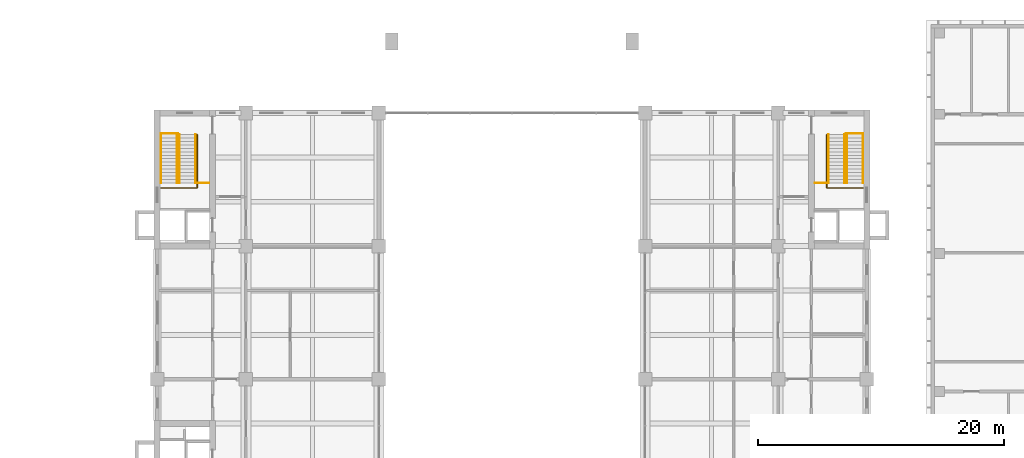
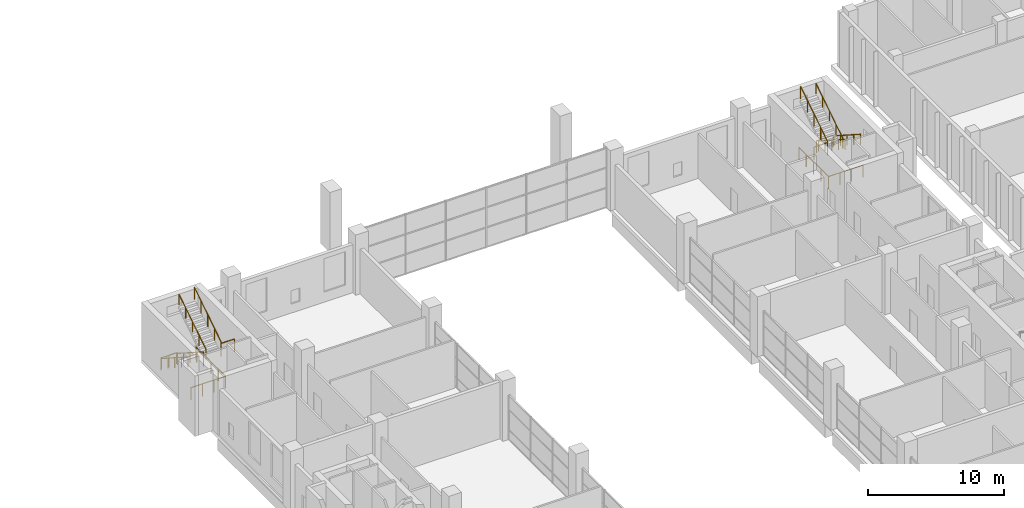
# One storey, part 31 of 32: 14 railings.
"""IFC4 building model written with IfcOpenShell, lengths in metres."""

from ifc_helpers import new_model, si_unit, direction, frame, origin, origin_2d, place, context, subcontext, project, spatial, circle, extrude, material, type_object, element, save


model = new_model("IFC4")

# Units and contexts
model_context = context("Model", 3, precision=1e-05, world=origin(), true_north=direction((0.0, 1.0)))
body_context = subcontext(model_context, "Body", "Model", "MODEL_VIEW")
ifc_project = project(units=[si_unit("LENGTHUNIT", "METRE"), si_unit("AREAUNIT", "SQUARE_METRE"), si_unit("VOLUMEUNIT", "CUBIC_METRE"), si_unit("PLANEANGLEUNIT", "RADIAN"), si_unit("MASSUNIT", "GRAM", prefix="KILO")], contexts=[model_context])

# Site, building, storey
site_placement = place(None, origin())
site = spatial("IfcSite", under=ifc_project, at=site_placement, CompositionType="ELEMENT")
building_placement = place(site_placement, origin())
building = spatial("IfcBuilding", under=site, at=building_placement, Name="Basin Gate Institute", CompositionType="ELEMENT")
storey_placement = place(building_placement, frame((0.0, 0.0, 11.39990234375)))
storey = spatial("IfcBuildingStorey", under=building, at=storey_placement, Name="L02", CompositionType="ELEMENT", Elevation=11.39990234375)

# Railings
ifc_material_1 = material(Name="Stainless steel", Category="steel")
railing_type_1 = type_object("IfcRailingType", Name="Stair guard GR1", PredefinedType="GUARDRAIL", material=ifc_material_1)
railing_1_placement = place(storey_placement, frame((64.449951171875, 98.14990234375, 0.0)))
element("IfcRailing", 1, at=railing_1_placement, inside=storey, type_object=railing_type_1, material=ifc_material_1, Name="Stair guard GR1 WN GD3-L01", PredefinedType="GUARDRAIL", context=body_context, shape_type="SweptSolid", body=[
    extrude(circle(Radius=0.02392578125, at=origin_2d()), frame((0.0, 0.0, 1.076171875), z_axis=(0.0, -1.0, 0.0), x_axis=(1.0, 0.0, 0.0)), (0.0, 0.0, 1.0), 4.31982421875),
    extrude(circle(Radius=0.02392578125, at=origin_2d()), frame((0.0, -4.31982421875, 1.076171875), z_axis=(-1.0, 0.0, 0.0), x_axis=(0.0, -1.0, 0.0)), (0.0, 0.0, 1.0), 2.949951171875),
    extrude(circle(Radius=0.02099609375, at=origin_2d()), origin(), (0.0, 0.0, 1.0), 1.052001953125),
    extrude(circle(Radius=0.02099609375, at=origin_2d()), frame((0.0, -1.080078125, 0.0)), (0.0, 0.0, 1.0), 1.052001953125),
    extrude(circle(Radius=0.02099609375, at=origin_2d()), frame((0.0, -2.159912109375, 0.0)), (0.0, 0.0, 1.0), 1.052001953125),
    extrude(circle(Radius=0.02099609375, at=origin_2d()), frame((0.0, -3.23974609375, 0.0)), (0.0, 0.0, 1.0), 1.052001953125),
    extrude(circle(Radius=0.02099609375, at=origin_2d()), frame((0.0, -4.31982421875, 0.0)), (0.0, 0.0, 1.0), 1.052001953125),
    extrude(circle(Radius=0.02099609375, at=origin_2d()), frame((-0.9833984375, -4.31982421875, 0.0)), (0.0, 0.0, 1.0), 1.052001953125),
    extrude(circle(Radius=0.02099609375, at=origin_2d()), frame((-1.966552734375, -4.31982421875, 0.0)), (0.0, 0.0, 1.0), 1.052001953125),
    extrude(circle(Radius=0.02099609375, at=origin_2d()), frame((-2.949951171875, -4.31982421875, 0.0)), (0.0, 0.0, 1.0), 1.052001953125),
])
railing_2_placement = place(storey_placement, frame((61.5, 98.22998046875, 0.0)))
element("IfcRailing", 2, at=railing_2_placement, inside=storey, type_object=railing_type_1, material=ifc_material_1, Name="Stair guard GR1 WN GD4-L01", PredefinedType="GUARDRAIL", context=body_context, shape_type="SweptSolid", body=[
    extrude(circle(Radius=0.02392578125, at=origin_2d()), frame((0.0, 0.0, 1.076171875), z_axis=(1.0, 0.0, 0.0), x_axis=(0.0, 1.0, 0.0)), (0.0, 0.0, 1.0), 1.39990234375),
    extrude(circle(Radius=0.02099609375, at=origin_2d()), origin(), (0.0, 0.0, 1.0), 1.052001953125),
    extrude(circle(Radius=0.02099609375, at=origin_2d()), frame((0.699951171875, 0.0, 0.0)), (0.0, 0.0, 1.0), 1.052001953125),
    extrude(circle(Radius=0.02099609375, at=origin_2d()), frame((1.39990234375, 0.0, 0.0)), (0.0, 0.0, 1.0), 1.052001953125),
])
railing_3_placement = place(storey_placement, frame((115.550048828125, 98.14990234375, 0.0)))
element("IfcRailing", 3, at=railing_3_placement, inside=storey, type_object=railing_type_1, material=ifc_material_1, Name="Stair guard GR1 EN GD3-L01", PredefinedType="GUARDRAIL", context=body_context, shape_type="SweptSolid", body=[
    extrude(circle(Radius=0.02392578125, at=origin_2d()), frame((0.0, 0.0, 1.076171875), z_axis=(0.0, -1.0, 0.0), x_axis=(1.0, 0.0, 0.0)), (0.0, 0.0, 1.0), 4.31982421875),
    extrude(circle(Radius=0.02392578125, at=origin_2d()), frame((0.0, -4.31982421875, 1.076171875), z_axis=(1.0, 0.0, 0.0), x_axis=(0.0, 1.0, 0.0)), (0.0, 0.0, 1.0), 2.949951171875),
    extrude(circle(Radius=0.02099609375, at=origin_2d()), origin(), (0.0, 0.0, 1.0), 1.052001953125),
    extrude(circle(Radius=0.02099609375, at=origin_2d()), frame((0.0, -1.080078125, 0.0)), (0.0, 0.0, 1.0), 1.052001953125),
    extrude(circle(Radius=0.02099609375, at=origin_2d()), frame((0.0, -2.159912109375, 0.0)), (0.0, 0.0, 1.0), 1.052001953125),
    extrude(circle(Radius=0.02099609375, at=origin_2d()), frame((0.0, -3.23974609375, 0.0)), (0.0, 0.0, 1.0), 1.052001953125),
    extrude(circle(Radius=0.02099609375, at=origin_2d()), frame((0.0, -4.31982421875, 0.0)), (0.0, 0.0, 1.0), 1.052001953125),
    extrude(circle(Radius=0.02099609375, at=origin_2d()), frame((0.9833984375, -4.31982421875, 0.0)), (0.0, 0.0, 1.0), 1.052001953125),
    extrude(circle(Radius=0.02099609375, at=origin_2d()), frame((1.966552734375, -4.31982421875, 0.0)), (0.0, 0.0, 1.0), 1.052001953125),
    extrude(circle(Radius=0.02099609375, at=origin_2d()), frame((2.949951171875, -4.31982421875, 0.0)), (0.0, 0.0, 1.0), 1.052001953125),
])
railing_4_placement = place(storey_placement, frame((118.5, 98.22998046875, 0.0)))
element("IfcRailing", 4, at=railing_4_placement, inside=storey, type_object=railing_type_1, material=ifc_material_1, Name="Stair guard GR1 EN GD4-L01", PredefinedType="GUARDRAIL", context=body_context, shape_type="SweptSolid", body=[
    extrude(circle(Radius=0.02392578125, at=origin_2d()), frame((0.0, 0.0, 1.076171875), z_axis=(-1.0, 0.0, 0.0), x_axis=(0.0, -1.0, 0.0)), (0.0, 0.0, 1.0), 1.39990234375),
    extrude(circle(Radius=0.02099609375, at=origin_2d()), origin(), (0.0, 0.0, 1.0), 1.052001953125),
    extrude(circle(Radius=0.02099609375, at=origin_2d()), frame((-0.699951171875, 0.0, 0.0)), (0.0, 0.0, 1.0), 1.052001953125),
    extrude(circle(Radius=0.02099609375, at=origin_2d()), frame((-1.39990234375, 0.0, 0.0)), (0.0, 0.0, 1.0), 1.052001953125),
])
for number, where, name in (
    (5, (64.300048828125, 94.22998046875, 2.880126953125), "Stair guard GR1 WN GD1"),
    (6, (115.699951171875, 94.22998046875, 2.880126953125), "Stair guard GR1 EN GD1"),
):
    element("IfcRailing", number, at=place(storey_placement, frame(where)), inside=storey, type_object=railing_type_1, material=ifc_material_1, Name=name, PredefinedType="GUARDRAIL", context=body_context, shape_type="SweptSolid", body=[
        extrude(circle(Radius=0.02392578125, at=origin_2d()), frame((0.0, 0.0, 1.076171875), z_axis=(0.0, 0.841171666519, 0.540768182723), x_axis=(-1.0, 0.0, 0.0)), (0.0, 0.0, 1.0), 4.66015625),
        extrude(circle(Radius=0.02099609375, at=origin_2d()), origin(), (0.0, 0.0, 1.0), 1.052001953125),
        extrude(circle(Radius=0.02099609375, at=origin_2d()), frame((0.0, 0.97998046875, 0.6298828125)), (0.0, 0.0, 1.0), 1.052001953125),
        extrude(circle(Radius=0.02099609375, at=origin_2d()), frame((0.0, 1.9599609375, 1.260009765625)), (0.0, 0.0, 1.0), 1.052001953125),
        extrude(circle(Radius=0.02099609375, at=origin_2d()), frame((0.0, 2.93994140625, 1.89013671875)), (0.0, 0.0, 1.0), 1.052001953125),
        extrude(circle(Radius=0.02099609375, at=origin_2d()), frame((0.0, 3.919921875, 2.52001953125)), (0.0, 0.0, 1.0), 1.052001953125),
    ])
ifc_material_2 = material(Name="Stainless steel", Category="steel")
railing_type_2 = type_object("IfcRailingType", Name="Stair guard GR3", PredefinedType="GUARDRAIL", material=ifc_material_2)
railing_5_placement = place(storey_placement, frame((64.300048828125, 94.22998046875, 2.7001953125)))
element("IfcRailing", 7, at=railing_5_placement, inside=storey, type_object=railing_type_2, material=ifc_material_2, Name="Stair guard GR3 WN GD2", PredefinedType="GUARDRAIL", context=body_context, shape_type="SweptSolid", body=[
    extrude(circle(Radius=0.02392578125, at=origin_2d()), frame((0.0, 0.0, 1.1259765625), z_axis=(1.0, 0.0, 0.0), x_axis=(0.0, 1.0, 0.0)), (0.0, 0.0, 1.0), 1.119873046875),
    extrude(circle(Radius=0.02099609375, at=origin_2d()), origin(), (0.0, 0.0, 1.0), 1.101806640625),
    extrude(circle(Radius=0.02099609375, at=origin_2d()), frame((1.119873046875, 0.0, 0.0)), (0.0, 0.0, 1.0), 1.101806640625),
])
railing_6_placement = place(storey_placement, frame((115.699951171875, 94.22998046875, 2.7001953125)))
element("IfcRailing", 8, at=railing_6_placement, inside=storey, type_object=railing_type_2, material=ifc_material_2, Name="Stair guard GR3 EN GD2", PredefinedType="GUARDRAIL", context=body_context, shape_type="SweptSolid", body=[
    extrude(circle(Radius=0.02392578125, at=origin_2d()), frame((0.0, 0.0, 1.1259765625), z_axis=(-1.0, 0.0, 0.0), x_axis=(0.0, -1.0, 0.0)), (0.0, 0.0, 1.0), 1.119873046875),
    extrude(circle(Radius=0.02099609375, at=origin_2d()), origin(), (0.0, 0.0, 1.0), 1.101806640625),
    extrude(circle(Radius=0.02099609375, at=origin_2d()), frame((-1.119873046875, 0.0, 0.0)), (0.0, 0.0, 1.0), 1.101806640625),
])
ifc_material_3 = material(Name="Stainless steel", Category="steel")
railing_type_3 = type_object("IfcRailingType", Name="Stair handrail HR1", PredefinedType="HANDRAIL", material=ifc_material_3)
for number, where, name in (
    (9, (61.5, 98.14990234375, 0.18017578125), "Stair handrail HR1 WN HR1"),
    (10, (62.800048828125, 98.14990234375, 0.18017578125), "Stair handrail HR1 WN HR2"),
):
    element("IfcRailing", number, at=place(storey_placement, frame(where)), inside=storey, type_object=railing_type_3, material=ifc_material_3, Name=name, PredefinedType="HANDRAIL", context=body_context, shape_type="SweptSolid", body=[
        extrude(circle(Radius=0.02392578125, at=origin_2d()), frame((0.0, 0.0, 0.89599609375), z_axis=(0.0, -0.841171666519, 0.540768182723), x_axis=(1.0, 0.0, 0.0)), (0.0, 0.0, 1.0), 4.66015625),
        extrude(circle(Radius=0.02099609375, at=origin_2d()), origin(), (0.0, 0.0, 1.0), 0.871826171875),
        extrude(circle(Radius=0.02099609375, at=origin_2d()), frame((0.0, -0.97998046875, 0.6298828125)), (0.0, 0.0, 1.0), 0.871826171875),
        extrude(circle(Radius=0.02099609375, at=origin_2d()), frame((0.0, -1.9599609375, 1.260009765625)), (0.0, 0.0, 1.0), 0.871826171875),
        extrude(circle(Radius=0.02099609375, at=origin_2d()), frame((0.0, -2.93994140625, 1.89013671875)), (0.0, 0.0, 1.0), 0.871826171875),
        extrude(circle(Radius=0.02099609375, at=origin_2d()), frame((0.0, -3.919921875, 2.52001953125)), (0.0, 0.0, 1.0), 0.871826171875),
    ])
railing_7_placement = place(storey_placement, frame((63.0, 94.22998046875, 2.880126953125)))
element("IfcRailing", 11, at=railing_7_placement, inside=storey, type_object=railing_type_3, material=ifc_material_3, Name="Stair handrail HR1 WN HR3", PredefinedType="HANDRAIL", context=body_context, shape_type="SweptSolid", body=[
    extrude(circle(Radius=0.02392578125, at=origin_2d()), frame((0.0, 0.0, 0.89599609375), z_axis=(0.0, 0.841171666519, 0.540768182723), x_axis=(-1.0, 0.0, 0.0)), (0.0, 0.0, 1.0), 4.66015625),
    extrude(circle(Radius=0.02099609375, at=origin_2d()), origin(), (0.0, 0.0, 1.0), 0.871826171875),
    extrude(circle(Radius=0.02099609375, at=origin_2d()), frame((0.0, 0.97998046875, 0.6298828125)), (0.0, 0.0, 1.0), 0.871826171875),
    extrude(circle(Radius=0.02099609375, at=origin_2d()), frame((0.0, 1.9599609375, 1.260009765625)), (0.0, 0.0, 1.0), 0.871826171875),
    extrude(circle(Radius=0.02099609375, at=origin_2d()), frame((0.0, 2.93994140625, 1.89013671875)), (0.0, 0.0, 1.0), 0.871826171875),
    extrude(circle(Radius=0.02099609375, at=origin_2d()), frame((0.0, 3.919921875, 2.52001953125)), (0.0, 0.0, 1.0), 0.871826171875),
])
for number, where, name in (
    (12, (118.5, 98.14990234375, 0.18017578125), "Stair handrail HR1 EN HR1"),
    (13, (117.199951171875, 98.14990234375, 0.18017578125), "Stair handrail HR1 EN HR2"),
):
    element("IfcRailing", number, at=place(storey_placement, frame(where)), inside=storey, type_object=railing_type_3, material=ifc_material_3, Name=name, PredefinedType="HANDRAIL", context=body_context, shape_type="SweptSolid", body=[
        extrude(circle(Radius=0.02392578125, at=origin_2d()), frame((0.0, 0.0, 0.89599609375), z_axis=(0.0, -0.841171666519, 0.540768182723), x_axis=(1.0, 0.0, 0.0)), (0.0, 0.0, 1.0), 4.66015625),
        extrude(circle(Radius=0.02099609375, at=origin_2d()), origin(), (0.0, 0.0, 1.0), 0.871826171875),
        extrude(circle(Radius=0.02099609375, at=origin_2d()), frame((0.0, -0.97998046875, 0.6298828125)), (0.0, 0.0, 1.0), 0.871826171875),
        extrude(circle(Radius=0.02099609375, at=origin_2d()), frame((0.0, -1.9599609375, 1.260009765625)), (0.0, 0.0, 1.0), 0.871826171875),
        extrude(circle(Radius=0.02099609375, at=origin_2d()), frame((0.0, -2.93994140625, 1.89013671875)), (0.0, 0.0, 1.0), 0.871826171875),
        extrude(circle(Radius=0.02099609375, at=origin_2d()), frame((0.0, -3.919921875, 2.52001953125)), (0.0, 0.0, 1.0), 0.871826171875),
    ])
railing_8_placement = place(storey_placement, frame((117.0, 94.22998046875, 2.880126953125)))
element("IfcRailing", 14, at=railing_8_placement, inside=storey, type_object=railing_type_3, material=ifc_material_3, Name="Stair handrail HR1 EN HR3", PredefinedType="HANDRAIL", context=body_context, shape_type="SweptSolid", body=[
    extrude(circle(Radius=0.02392578125, at=origin_2d()), frame((0.0, 0.0, 0.89599609375), z_axis=(0.0, 0.841171666519, 0.540768182723), x_axis=(-1.0, 0.0, 0.0)), (0.0, 0.0, 1.0), 4.66015625),
    extrude(circle(Radius=0.02099609375, at=origin_2d()), origin(), (0.0, 0.0, 1.0), 0.871826171875),
    extrude(circle(Radius=0.02099609375, at=origin_2d()), frame((0.0, 0.97998046875, 0.6298828125)), (0.0, 0.0, 1.0), 0.871826171875),
    extrude(circle(Radius=0.02099609375, at=origin_2d()), frame((0.0, 1.9599609375, 1.260009765625)), (0.0, 0.0, 1.0), 0.871826171875),
    extrude(circle(Radius=0.02099609375, at=origin_2d()), frame((0.0, 2.93994140625, 1.89013671875)), (0.0, 0.0, 1.0), 0.871826171875),
    extrude(circle(Radius=0.02099609375, at=origin_2d()), frame((0.0, 3.919921875, 2.52001953125)), (0.0, 0.0, 1.0), 0.871826171875),
])

save(model, "model.ifc")
